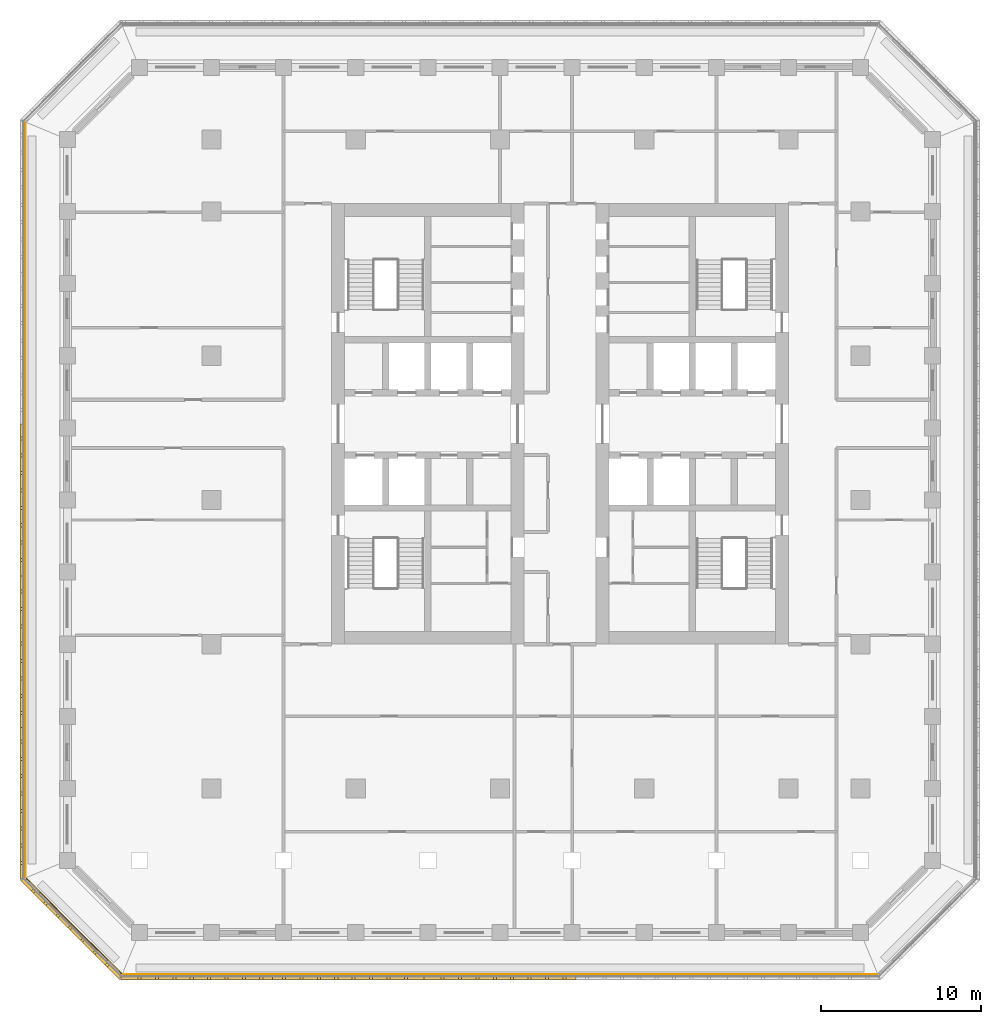
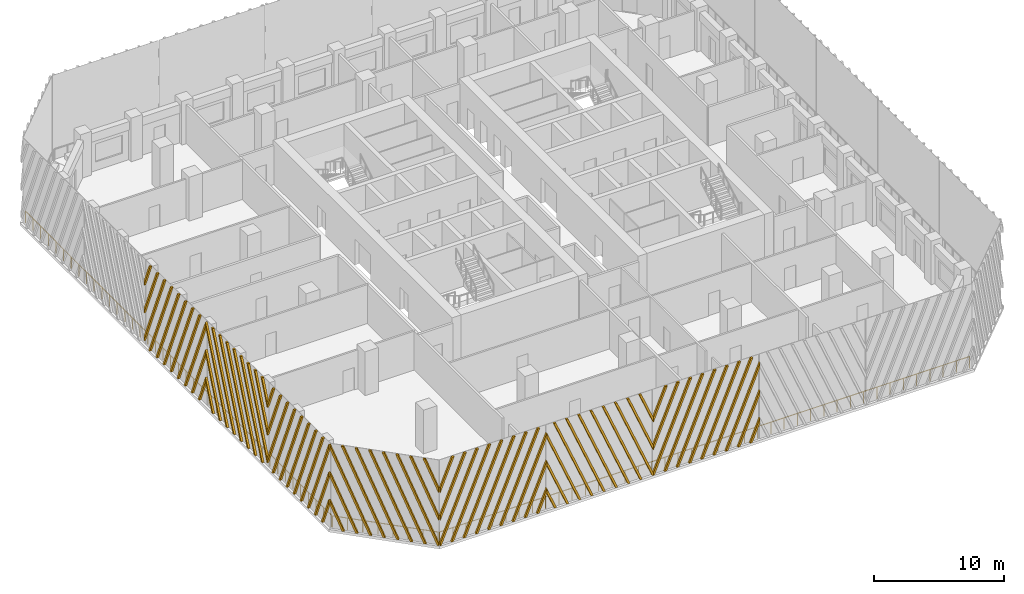
# One storey, part 10 of 17: 7 shading devices, 3 railings.
"""IFC4 building model written with IfcOpenShell, lengths in metres."""

import ifcopenshell
import ifcopenshell.guid

model = None  # the IFC model being written
_history = None  # IfcOwnerHistory: only IFC2X3 demands one
_inside = {}  # id of a spatial element -> (the spatial element, [elements in it])
_under = {}  # id of a project, library or spatial element -> (it, [spatial elements below it])
_declared = {}  # id of a project -> (the project, [libraries it declares])
_typed = {}  # id of a type object -> (the type object, [elements of that type])
_made_of = {}  # id of a material, layer set ... -> (it, [elements and type objects made of it])


def new_model(schema):
    """Start an empty IFC model of exactly this schema.

    Asked for "IFC4X3", IfcOpenShell would pick the latest addendum, in which some entities
    have other attributes; the version numbers below select the first issue.
    IFC2X3 requires an IfcOwnerHistory on every rooted entity: one is made here for all.
    """
    global model, _history
    if schema == "IFC4X3":
        model = ifcopenshell.file(schema_version=(4, 3, 0, 0))
    else:
        model = ifcopenshell.file(schema=schema)
    _inside.clear()
    _under.clear()
    _declared.clear()
    _typed.clear()
    _made_of.clear()
    _history = None
    if model.schema == "IFC2X3":
        org = make("IfcOrganization", Name="unknown")
        user = make(
            "IfcPersonAndOrganization",
            ThePerson=make("IfcPerson", FamilyName="unknown"),
            TheOrganization=org,
        )
        app = make(
            "IfcApplication",
            ApplicationDeveloper=org,
            Version="unknown",
            ApplicationFullName="unknown",
            ApplicationIdentifier="unknown",
        )
        _history = make(
            "IfcOwnerHistory",
            OwningUser=user,
            OwningApplication=app,
            ChangeAction="ADDED",
            CreationDate=0,
        )
    return model


def make(cls, **values):
    """One entity of the class cls with the attributes given. An attribute that is None is left unset."""
    return model.create_entity(
        cls, **{name: value for name, value in values.items() if value is not None}
    )


def rooted(cls, **values):
    """An entity with a GlobalId (a new one), such as an element, a storey or a relation."""
    return make(cls, GlobalId=ifcopenshell.guid.new(), OwnerHistory=_history, **values)


def si_unit(unit_type, name, prefix=None):
    """IfcSIUnit, for example si_unit("LENGTHUNIT", "METRE", prefix="MILLI")."""
    return make("IfcSIUnit", UnitType=unit_type, Prefix=prefix, Name=name)


def assignment(units):
    """IfcUnitAssignment: the units of a project."""
    return None if units is None else make("IfcUnitAssignment", Units=units)


def point(xyz):
    """IfcCartesianPoint."""
    return None if xyz is None else make("IfcCartesianPoint", Coordinates=xyz)


def direction(xyz):
    """IfcDirection."""
    return None if xyz is None else make("IfcDirection", DirectionRatios=xyz)


def frame(location, z_axis=None, x_axis=None):
    """IfcAxis2Placement3D, a coordinate frame: its origin and axes. An axis left out is left unset."""
    return make(
        "IfcAxis2Placement3D",
        Location=point(location),
        Axis=direction(z_axis),
        RefDirection=direction(x_axis),
    )


def frame_2d(location, x_axis=None):
    """IfcAxis2Placement2D, a coordinate frame in the plane: its origin and x axis."""
    return make(
        "IfcAxis2Placement2D", Location=point(location), RefDirection=direction(x_axis)
    )


def origin():
    """The frame at (0, 0, 0) with its axes left unset."""
    return frame((0.0, 0.0, 0.0))


def origin_2d():
    """The frame at (0, 0) in the plane with its x axis left unset."""
    return frame_2d((0.0, 0.0))


def place(relative_to, where):
    """IfcLocalPlacement: puts the frame where relative to a parent placement (None: the world)."""
    return make(
        "IfcLocalPlacement", PlacementRelTo=relative_to, RelativePlacement=where
    )


def context(
    kind, dimensions, precision=None, world=None, true_north=None, identifier=None
):
    """IfcGeometricRepresentationContext, for example the 3D "Model" context."""
    return make(
        "IfcGeometricRepresentationContext",
        ContextIdentifier=identifier,
        ContextType=kind,
        CoordinateSpaceDimension=dimensions,
        Precision=precision,
        WorldCoordinateSystem=world,
        TrueNorth=true_north,
    )


def subcontext(parent, identifier, kind, view, scale=None):
    """IfcGeometricRepresentationSubContext, for example "Body" below "Model"."""
    return make(
        "IfcGeometricRepresentationSubContext",
        ContextIdentifier=identifier,
        ContextType=kind,
        ParentContext=parent,
        TargetScale=scale,
        TargetView=view,
    )


def project(units=None, contexts=None):
    """IfcProject with its units and contexts."""
    return rooted(
        "IfcProject",
        Name="project",
        RepresentationContexts=contexts,
        UnitsInContext=assignment(units),
    )


def spatial(cls, under=None, at=None, **own):
    """A site, building, storey or space (cls), placed at a placement, below another one or the project."""
    s = rooted(cls, ObjectPlacement=at, **own)
    if under is not None:
        _under.setdefault(under.id(), (under, []))[1].append(s)
    return s


def polyline(points):
    """IfcPolyline through the points."""
    return make("IfcPolyline", Points=[point(p) for p in points])


def profile(cls, at=None, kind="AREA", **sizes):
    """A parametric profile (cls). Its sizes go by their IFC names, for example OverallWidth=200.0."""
    return make(cls, ProfileType=kind, Position=at, **sizes)


def circle(**sizes):
    """IfcCircleProfileDef."""
    return profile("IfcCircleProfileDef", **sizes)


def outline(outer, holes=None, kind="AREA"):
    """IfcArbitraryClosedProfileDef: a profile drawn as a closed curve; with holes, ...WithVoids."""
    if holes is None:
        return make("IfcArbitraryClosedProfileDef", ProfileType=kind, OuterCurve=outer)
    return make(
        "IfcArbitraryProfileDefWithVoids",
        ProfileType=kind,
        OuterCurve=outer,
        InnerCurves=holes,
    )


def extrude(swept, where, along, depth):
    """IfcExtrudedAreaSolid: the profile swept, set in the frame where, extruded along a direction by depth."""
    return make(
        "IfcExtrudedAreaSolid",
        SweptArea=swept,
        Position=where,
        ExtrudedDirection=direction(along),
        Depth=depth,
    )


def shape(context_of_items, identifier, shape_type, items):
    """IfcShapeRepresentation: the items that make up one representation, for example the "Body"."""
    return make(
        "IfcShapeRepresentation",
        ContextOfItems=context_of_items,
        RepresentationIdentifier=identifier,
        RepresentationType=shape_type,
        Items=items,
    )


def source(mapping_origin, context_of_items, identifier, shape_type, items):
    """IfcRepresentationMap: a shape defined once, which mapped items show again and again."""
    return make(
        "IfcRepresentationMap",
        MappingOrigin=mapping_origin,
        MappedRepresentation=shape(context_of_items, identifier, shape_type, items),
    )


def transform(
    local_origin,
    x_axis=None,
    y_axis=None,
    z_axis=None,
    scale=None,
    scale2=None,
    scale3=None,
    uniform=True,
):
    """IfcCartesianTransformationOperator3D, or its non-uniform kind. x_axis, y_axis, z_axis: its Axis1, 2, 3."""
    if uniform:
        return make(
            "IfcCartesianTransformationOperator3D",
            Axis1=direction(x_axis),
            Axis2=direction(y_axis),
            LocalOrigin=point(local_origin),
            Scale=scale,
            Axis3=direction(z_axis),
        )
    return make(
        "IfcCartesianTransformationOperator3DnonUniform",
        Axis1=direction(x_axis),
        Axis2=direction(y_axis),
        LocalOrigin=point(local_origin),
        Scale=scale,
        Axis3=direction(z_axis),
        Scale2=scale2,
        Scale3=scale3,
    )


def mapped(mapping_source, mapping_target):
    """IfcMappedItem: shows the shape of a source again, moved by a transform."""
    return make(
        "IfcMappedItem", MappingSource=mapping_source, MappingTarget=mapping_target
    )


def material(Name=None, Category=None):
    """IfcMaterial."""
    return make("IfcMaterial", Name=Name, Category=Category)


def made_of(thing, what):
    """Note that an element or type object is made of a material, layer set ...; save() writes the relation."""
    if what is not None:
        _made_of.setdefault(what.id(), (what, []))[1].append(thing)
    return thing


def type_object(cls, material=None, **own):
    """A type object (cls), such as IfcWallType, which elements share."""
    return made_of(rooted(cls, **own), material)


def element(
    cls,
    number,
    at=None,
    inside=None,
    cuts=None,
    type_object=None,
    material=None,
    context=None,
    identifier="Body",
    shape_type=None,
    held_by="IfcProductDefinitionShape",
    body=None,
    shapes=None,
    **own,
):
    """One element of the class cls, such as IfcWall. Its Tag is "e" and its number.

    at: its placement. inside: the storey or other place that contains it. cuts: it is an
    opening in that element (IfcRelVoidsElement). A single representation is given by context,
    identifier, shape_type and body (its items); several are given by shapes. held_by: the class
    of the entity that holds the representations. save() writes the other relations.
    """
    e = rooted(cls, Tag="e%d" % number, ObjectPlacement=at, **own)
    if body is not None:
        shapes = [shape(context, identifier, shape_type, body)]
    if shapes is not None:
        e.Representation = make(held_by, Representations=shapes)
    if inside is not None:
        _inside.setdefault(inside.id(), (inside, []))[1].append(e)
    if cuts is not None:
        rooted(
            "IfcRelVoidsElement", RelatingBuildingElement=cuts, RelatedOpeningElement=e
        )
    if type_object is not None:
        _typed.setdefault(type_object.id(), (type_object, []))[1].append(e)
    return made_of(e, material)


def aggregate(whole, parts):
    """IfcRelAggregates: a whole, such as a stair, and the parts it consists of."""
    return rooted("IfcRelAggregates", RelatingObject=whole, RelatedObjects=parts)


def save(model, path):
    """Write the relations noted so far, then the file.

    IfcRelAggregates (storeys below a building ...), IfcRelContainedInSpatialStructure (elements
    in a storey), IfcRelDefinesByType, IfcRelAssociatesMaterial and IfcRelDeclares: one each for
    every whole, place, type object, material and project.
    """
    for whole, parts in _under.values():
        aggregate(whole, parts)
    for where, things in _inside.values():
        rooted(
            "IfcRelContainedInSpatialStructure",
            RelatedElements=things,
            RelatingStructure=where,
        )
    for kind, things in _typed.values():
        rooted("IfcRelDefinesByType", RelatedObjects=things, RelatingType=kind)
    for what, things in _made_of.values():
        rooted("IfcRelAssociatesMaterial", RelatedObjects=things, RelatingMaterial=what)
    for by, libraries in _declared.values():
        rooted("IfcRelDeclares", RelatingContext=by, RelatedDefinitions=libraries)
    model.write(path)


model = new_model("IFC4")

# Units and contexts
model_context = context("Model", 3, precision=1e-05, world=origin(), true_north=direction((0.0, 1.0)))
body_context = subcontext(model_context, "Body", "Model", "MODEL_VIEW")
ifc_project = project(units=[si_unit("LENGTHUNIT", "METRE"), si_unit("AREAUNIT", "SQUARE_METRE"), si_unit("VOLUMEUNIT", "CUBIC_METRE"), si_unit("PLANEANGLEUNIT", "RADIAN"), si_unit("MASSUNIT", "GRAM", prefix="KILO")], contexts=[model_context])

# Site, building, storey
site_placement = place(None, origin())
site = spatial("IfcSite", under=ifc_project, at=site_placement, CompositionType="ELEMENT")
building_placement = place(site_placement, origin())
building = spatial("IfcBuilding", under=site, at=building_placement, Name="Corbel Stack Research Tower", CompositionType="ELEMENT")
storey_placement = place(building_placement, frame((0.0, 0.0, 156.800048828125)))
storey = spatial("IfcBuildingStorey", under=building, at=storey_placement, Name="L35", CompositionType="ELEMENT", Elevation=156.800048828125)

# Railings
ifc_material_1 = material(Name="Powder-coated steel guard", Category="steel")
railing_type = type_object("IfcRailingType", Name="Steel and glass guard 1100", PredefinedType="GUARDRAIL", material=ifc_material_1)
railing_1_placement = place(storey_placement, frame((-23.50537109375, -29.60009765625, 0.0)))
element("IfcRailing", 1, at=railing_1_placement, inside=storey, type_object=railing_type, Name="Loggia guard L35 S", PredefinedType="GUARDRAIL", context=body_context, shape_type="SweptSolid", body=[
    extrude(circle(Radius=0.02392578125, at=origin_2d()), frame((0.0, 0.0, 1.076171875), z_axis=(1.0, 0.0, 0.0), x_axis=(0.0, 1.0, 0.0)), (0.0, 0.0, 1.0), 47.0107421875),
    extrude(circle(Radius=0.02099609375, at=origin_2d()), origin(), (0.0, 0.0, 1.0), 1.052001953125),
    extrude(circle(Radius=0.02099609375, at=origin_2d()), frame((1.17529296875, 0.0, 0.0)), (0.0, 0.0, 1.0), 1.052001953125),
    extrude(circle(Radius=0.02099609375, at=origin_2d()), frame((2.3505859375, 0.0, 0.0)), (0.0, 0.0, 1.0), 1.052001953125),
    extrude(circle(Radius=0.02099609375, at=origin_2d()), frame((3.52587890625, 0.0, 0.0)), (0.0, 0.0, 1.0), 1.052001953125),
    extrude(circle(Radius=0.02099609375, at=origin_2d()), frame((4.701171875, 0.0, 0.0)), (0.0, 0.0, 1.0), 1.052001953125),
    extrude(circle(Radius=0.02099609375, at=origin_2d()), frame((5.87646484375, 0.0, 0.0)), (0.0, 0.0, 1.0), 1.052001953125),
    extrude(circle(Radius=0.02099609375, at=origin_2d()), frame((7.051513671875, 0.0, 0.0)), (0.0, 0.0, 1.0), 1.052001953125),
    extrude(circle(Radius=0.02099609375, at=origin_2d()), frame((8.226806640625, 0.0, 0.0)), (0.0, 0.0, 1.0), 1.052001953125),
    extrude(circle(Radius=0.02099609375, at=origin_2d()), frame((9.402099609375, 0.0, 0.0)), (0.0, 0.0, 1.0), 1.052001953125),
    extrude(circle(Radius=0.02099609375, at=origin_2d()), frame((10.577392578125, 0.0, 0.0)), (0.0, 0.0, 1.0), 1.052001953125),
    extrude(circle(Radius=0.02099609375, at=origin_2d()), frame((11.752685546875, 0.0, 0.0)), (0.0, 0.0, 1.0), 1.052001953125),
    extrude(circle(Radius=0.02099609375, at=origin_2d()), frame((12.927978515625, 0.0, 0.0)), (0.0, 0.0, 1.0), 1.052001953125),
    extrude(circle(Radius=0.02099609375, at=origin_2d()), frame((14.103271484375, 0.0, 0.0)), (0.0, 0.0, 1.0), 1.052001953125),
    extrude(circle(Radius=0.02099609375, at=origin_2d()), frame((15.278564453125, 0.0, 0.0)), (0.0, 0.0, 1.0), 1.052001953125),
    extrude(circle(Radius=0.02099609375, at=origin_2d()), frame((16.453857421875, 0.0, 0.0)), (0.0, 0.0, 1.0), 1.052001953125),
    extrude(circle(Radius=0.02099609375, at=origin_2d()), frame((17.62890625, 0.0, 0.0)), (0.0, 0.0, 1.0), 1.052001953125),
    extrude(circle(Radius=0.02099609375, at=origin_2d()), frame((18.80419921875, 0.0, 0.0)), (0.0, 0.0, 1.0), 1.052001953125),
    extrude(circle(Radius=0.02099609375, at=origin_2d()), frame((19.9794921875, 0.0, 0.0)), (0.0, 0.0, 1.0), 1.052001953125),
    extrude(circle(Radius=0.02099609375, at=origin_2d()), frame((21.15478515625, 0.0, 0.0)), (0.0, 0.0, 1.0), 1.052001953125),
    extrude(circle(Radius=0.02099609375, at=origin_2d()), frame((22.330078125, 0.0, 0.0)), (0.0, 0.0, 1.0), 1.052001953125),
    extrude(circle(Radius=0.02099609375, at=origin_2d()), frame((23.50537109375, 0.0, 0.0)), (0.0, 0.0, 1.0), 1.052001953125),
    extrude(circle(Radius=0.02099609375, at=origin_2d()), frame((24.6806640625, 0.0, 0.0)), (0.0, 0.0, 1.0), 1.052001953125),
    extrude(circle(Radius=0.02099609375, at=origin_2d()), frame((25.85595703125, 0.0, 0.0)), (0.0, 0.0, 1.0), 1.052001953125),
    extrude(circle(Radius=0.02099609375, at=origin_2d()), frame((27.03125, 0.0, 0.0)), (0.0, 0.0, 1.0), 1.052001953125),
    extrude(circle(Radius=0.02099609375, at=origin_2d()), frame((28.20654296875, 0.0, 0.0)), (0.0, 0.0, 1.0), 1.052001953125),
    extrude(circle(Radius=0.02099609375, at=origin_2d()), frame((29.3818359375, 0.0, 0.0)), (0.0, 0.0, 1.0), 1.052001953125),
    extrude(circle(Radius=0.02099609375, at=origin_2d()), frame((30.556884765625, 0.0, 0.0)), (0.0, 0.0, 1.0), 1.052001953125),
    extrude(circle(Radius=0.02099609375, at=origin_2d()), frame((31.732177734375, 0.0, 0.0)), (0.0, 0.0, 1.0), 1.052001953125),
    extrude(circle(Radius=0.02099609375, at=origin_2d()), frame((32.907470703125, 0.0, 0.0)), (0.0, 0.0, 1.0), 1.052001953125),
    extrude(circle(Radius=0.02099609375, at=origin_2d()), frame((34.082763671875, 0.0, 0.0)), (0.0, 0.0, 1.0), 1.052001953125),
    extrude(circle(Radius=0.02099609375, at=origin_2d()), frame((35.258056640625, 0.0, 0.0)), (0.0, 0.0, 1.0), 1.052001953125),
    extrude(circle(Radius=0.02099609375, at=origin_2d()), frame((36.433349609375, 0.0, 0.0)), (0.0, 0.0, 1.0), 1.052001953125),
    extrude(circle(Radius=0.02099609375, at=origin_2d()), frame((37.608642578125, 0.0, 0.0)), (0.0, 0.0, 1.0), 1.052001953125),
    extrude(circle(Radius=0.02099609375, at=origin_2d()), frame((38.783935546875, 0.0, 0.0)), (0.0, 0.0, 1.0), 1.052001953125),
    extrude(circle(Radius=0.02099609375, at=origin_2d()), frame((39.959228515625, 0.0, 0.0)), (0.0, 0.0, 1.0), 1.052001953125),
    extrude(circle(Radius=0.02099609375, at=origin_2d()), frame((41.13427734375, 0.0, 0.0)), (0.0, 0.0, 1.0), 1.052001953125),
    extrude(circle(Radius=0.02099609375, at=origin_2d()), frame((42.3095703125, 0.0, 0.0)), (0.0, 0.0, 1.0), 1.052001953125),
    extrude(circle(Radius=0.02099609375, at=origin_2d()), frame((43.48486328125, 0.0, 0.0)), (0.0, 0.0, 1.0), 1.052001953125),
    extrude(circle(Radius=0.02099609375, at=origin_2d()), frame((44.66015625, 0.0, 0.0)), (0.0, 0.0, 1.0), 1.052001953125),
    extrude(circle(Radius=0.02099609375, at=origin_2d()), frame((45.83544921875, 0.0, 0.0)), (0.0, 0.0, 1.0), 1.052001953125),
    extrude(circle(Radius=0.02099609375, at=origin_2d()), frame((47.0107421875, 0.0, 0.0)), (0.0, 0.0, 1.0), 1.052001953125),
])
railing_2_placement = place(storey_placement, frame((-29.60009765625, 23.50537109375, 0.0)))
element("IfcRailing", 2, at=railing_2_placement, inside=storey, type_object=railing_type, Name="Loggia guard L35 W", PredefinedType="GUARDRAIL", context=body_context, shape_type="SweptSolid", body=[
    extrude(circle(Radius=0.02392578125, at=origin_2d()), frame((0.0, 0.0, 1.076171875), z_axis=(0.0, -1.0, 0.0), x_axis=(1.0, 0.0, 0.0)), (0.0, 0.0, 1.0), 47.0107421875),
    extrude(circle(Radius=0.02099609375, at=origin_2d()), origin(), (0.0, 0.0, 1.0), 1.052001953125),
    extrude(circle(Radius=0.02099609375, at=origin_2d()), frame((0.0, -1.17529296875, 0.0)), (0.0, 0.0, 1.0), 1.052001953125),
    extrude(circle(Radius=0.02099609375, at=origin_2d()), frame((0.0, -2.3505859375, 0.0)), (0.0, 0.0, 1.0), 1.052001953125),
    extrude(circle(Radius=0.02099609375, at=origin_2d()), frame((0.0, -3.52587890625, 0.0)), (0.0, 0.0, 1.0), 1.052001953125),
    extrude(circle(Radius=0.02099609375, at=origin_2d()), frame((0.0, -4.701171875, 0.0)), (0.0, 0.0, 1.0), 1.052001953125),
    extrude(circle(Radius=0.02099609375, at=origin_2d()), frame((0.0, -5.87646484375, 0.0)), (0.0, 0.0, 1.0), 1.052001953125),
    extrude(circle(Radius=0.02099609375, at=origin_2d()), frame((0.0, -7.051513671875, 0.0)), (0.0, 0.0, 1.0), 1.052001953125),
    extrude(circle(Radius=0.02099609375, at=origin_2d()), frame((0.0, -8.226806640625, 0.0)), (0.0, 0.0, 1.0), 1.052001953125),
    extrude(circle(Radius=0.02099609375, at=origin_2d()), frame((0.0, -9.402099609375, 0.0)), (0.0, 0.0, 1.0), 1.052001953125),
    extrude(circle(Radius=0.02099609375, at=origin_2d()), frame((0.0, -10.577392578125, 0.0)), (0.0, 0.0, 1.0), 1.052001953125),
    extrude(circle(Radius=0.02099609375, at=origin_2d()), frame((0.0, -11.752685546875, 0.0)), (0.0, 0.0, 1.0), 1.052001953125),
    extrude(circle(Radius=0.02099609375, at=origin_2d()), frame((0.0, -12.927978515625, 0.0)), (0.0, 0.0, 1.0), 1.052001953125),
    extrude(circle(Radius=0.02099609375, at=origin_2d()), frame((0.0, -14.103271484375, 0.0)), (0.0, 0.0, 1.0), 1.052001953125),
    extrude(circle(Radius=0.02099609375, at=origin_2d()), frame((0.0, -15.278564453125, 0.0)), (0.0, 0.0, 1.0), 1.052001953125),
    extrude(circle(Radius=0.02099609375, at=origin_2d()), frame((0.0, -16.453857421875, 0.0)), (0.0, 0.0, 1.0), 1.052001953125),
    extrude(circle(Radius=0.02099609375, at=origin_2d()), frame((0.0, -17.62890625, 0.0)), (0.0, 0.0, 1.0), 1.052001953125),
    extrude(circle(Radius=0.02099609375, at=origin_2d()), frame((0.0, -18.80419921875, 0.0)), (0.0, 0.0, 1.0), 1.052001953125),
    extrude(circle(Radius=0.02099609375, at=origin_2d()), frame((0.0, -19.9794921875, 0.0)), (0.0, 0.0, 1.0), 1.052001953125),
    extrude(circle(Radius=0.02099609375, at=origin_2d()), frame((0.0, -21.15478515625, 0.0)), (0.0, 0.0, 1.0), 1.052001953125),
    extrude(circle(Radius=0.02099609375, at=origin_2d()), frame((0.0, -22.330078125, 0.0)), (0.0, 0.0, 1.0), 1.052001953125),
    extrude(circle(Radius=0.02099609375, at=origin_2d()), frame((0.0, -23.50537109375, 0.0)), (0.0, 0.0, 1.0), 1.052001953125),
    extrude(circle(Radius=0.02099609375, at=origin_2d()), frame((0.0, -24.6806640625, 0.0)), (0.0, 0.0, 1.0), 1.052001953125),
    extrude(circle(Radius=0.02099609375, at=origin_2d()), frame((0.0, -25.85595703125, 0.0)), (0.0, 0.0, 1.0), 1.052001953125),
    extrude(circle(Radius=0.02099609375, at=origin_2d()), frame((0.0, -27.03125, 0.0)), (0.0, 0.0, 1.0), 1.052001953125),
    extrude(circle(Radius=0.02099609375, at=origin_2d()), frame((0.0, -28.20654296875, 0.0)), (0.0, 0.0, 1.0), 1.052001953125),
    extrude(circle(Radius=0.02099609375, at=origin_2d()), frame((0.0, -29.3818359375, 0.0)), (0.0, 0.0, 1.0), 1.052001953125),
    extrude(circle(Radius=0.02099609375, at=origin_2d()), frame((0.0, -30.556884765625, 0.0)), (0.0, 0.0, 1.0), 1.052001953125),
    extrude(circle(Radius=0.02099609375, at=origin_2d()), frame((0.0, -31.732177734375, 0.0)), (0.0, 0.0, 1.0), 1.052001953125),
    extrude(circle(Radius=0.02099609375, at=origin_2d()), frame((0.0, -32.907470703125, 0.0)), (0.0, 0.0, 1.0), 1.052001953125),
    extrude(circle(Radius=0.02099609375, at=origin_2d()), frame((0.0, -34.082763671875, 0.0)), (0.0, 0.0, 1.0), 1.052001953125),
    extrude(circle(Radius=0.02099609375, at=origin_2d()), frame((0.0, -35.258056640625, 0.0)), (0.0, 0.0, 1.0), 1.052001953125),
    extrude(circle(Radius=0.02099609375, at=origin_2d()), frame((0.0, -36.433349609375, 0.0)), (0.0, 0.0, 1.0), 1.052001953125),
    extrude(circle(Radius=0.02099609375, at=origin_2d()), frame((0.0, -37.608642578125, 0.0)), (0.0, 0.0, 1.0), 1.052001953125),
    extrude(circle(Radius=0.02099609375, at=origin_2d()), frame((0.0, -38.783935546875, 0.0)), (0.0, 0.0, 1.0), 1.052001953125),
    extrude(circle(Radius=0.02099609375, at=origin_2d()), frame((0.0, -39.959228515625, 0.0)), (0.0, 0.0, 1.0), 1.052001953125),
    extrude(circle(Radius=0.02099609375, at=origin_2d()), frame((0.0, -41.13427734375, 0.0)), (0.0, 0.0, 1.0), 1.052001953125),
    extrude(circle(Radius=0.02099609375, at=origin_2d()), frame((0.0, -42.3095703125, 0.0)), (0.0, 0.0, 1.0), 1.052001953125),
    extrude(circle(Radius=0.02099609375, at=origin_2d()), frame((0.0, -43.48486328125, 0.0)), (0.0, 0.0, 1.0), 1.052001953125),
    extrude(circle(Radius=0.02099609375, at=origin_2d()), frame((0.0, -44.66015625, 0.0)), (0.0, 0.0, 1.0), 1.052001953125),
    extrude(circle(Radius=0.02099609375, at=origin_2d()), frame((0.0, -45.83544921875, 0.0)), (0.0, 0.0, 1.0), 1.052001953125),
    extrude(circle(Radius=0.02099609375, at=origin_2d()), frame((0.0, -47.0107421875, 0.0)), (0.0, 0.0, 1.0), 1.052001953125),
])
railing_3_placement = place(storey_placement, frame((-29.54931640625, -23.627685546875, 0.0)))
element("IfcRailing", 3, at=railing_3_placement, inside=storey, type_object=railing_type, Name="Loggia guard L35 SW", PredefinedType="GUARDRAIL", context=body_context, shape_type="SweptSolid", body=[
    extrude(circle(Radius=0.02392578125, at=origin_2d()), frame((0.0, 0.0, 1.076171875), z_axis=(0.707106781187, -0.707106781187, 0.0), x_axis=(0.707106781187, 0.707106781187, 0.0)), (0.0, 0.0, 1.0), 8.37451171875),
    extrude(circle(Radius=0.02099609375, at=origin_2d()), origin(), (0.0, 0.0, 1.0), 1.052001953125),
    extrude(circle(Radius=0.02099609375, at=origin_2d()), frame((0.845947265625, -0.845947265625, 0.0)), (0.0, 0.0, 1.0), 1.052001953125),
    extrude(circle(Radius=0.02099609375, at=origin_2d()), frame((1.69189453125, -1.69189453125, 0.0)), (0.0, 0.0, 1.0), 1.052001953125),
    extrude(circle(Radius=0.02099609375, at=origin_2d()), frame((2.537841796875, -2.537841796875, 0.0)), (0.0, 0.0, 1.0), 1.052001953125),
    extrude(circle(Radius=0.02099609375, at=origin_2d()), frame((3.3837890625, -3.3837890625, 0.0)), (0.0, 0.0, 1.0), 1.052001953125),
    extrude(circle(Radius=0.02099609375, at=origin_2d()), frame((4.229736328125, -4.229736328125, 0.0)), (0.0, 0.0, 1.0), 1.052001953125),
    extrude(circle(Radius=0.02099609375, at=origin_2d()), frame((5.07568359375, -5.07568359375, 0.0)), (0.0, 0.0, 1.0), 1.052001953125),
    extrude(circle(Radius=0.02099609375, at=origin_2d()), frame((5.921630859375, -5.921630859375, 0.0)), (0.0, 0.0, 1.0), 1.052001953125),
])

# Shading devices
ifc_material_2 = material(Name="Precast terracotta", Category="masonry")
shading_device_type = type_object("IfcShadingDeviceType", Name="Terracotta screen panel", PredefinedType="USERDEFINED", material=ifc_material_2)
shared_shape_1 = source(origin(), body_context, "Body", "SweptSolid", [
    extrude(outline(polyline([(1.245849609375, 7.949951171875), (1.055908203125, 7.949951171875), (0.0, 5.421875), (0.0, 4.966796875), (1.245849609375, 7.949951171875)])), frame((0.0, 0.0, 0.0), z_axis=(0.0, -1.0, 0.0), x_axis=(1.0, 0.0, 0.0)), (0.0, 0.0, 1.0), 0.179931640625),
    extrude(outline(polyline([(2.33056640625, 7.949951171875), (2.140380859375, 7.949951171875), (0.0, 2.82470703125), (0.0, 2.36962890625), (2.33056640625, 7.949951171875)])), frame((0.0, 0.0, 0.0), z_axis=(0.0, -1.0, 0.0), x_axis=(1.0, 0.0, 0.0)), (0.0, 0.0, 1.0), 0.179931640625),
    extrude(outline(polyline([(0.094970703125, 0.0), (3.415283203125, 7.949951171875), (3.22509765625, 7.949951171875), (0.0, 0.2275390625), (0.0, 0.0), (0.094970703125, 0.0)])), frame((0.0, 0.0, 0.0), z_axis=(0.0, -1.0, 0.0), x_axis=(1.0, 0.0, 0.0)), (0.0, 0.0, 1.0), 0.179931640625),
    extrude(outline(polyline([(1.1796875, 0.0), (4.499755859375, 7.949951171875), (4.309814453125, 7.949951171875), (0.98974609375, 0.0), (1.1796875, 0.0)])), frame((0.0, 0.0, 0.0), z_axis=(0.0, -1.0, 0.0), x_axis=(1.0, 0.0, 0.0)), (0.0, 0.0, 1.0), 0.179931640625),
    extrude(outline(polyline([(2.264404296875, 0.0), (5.58447265625, 7.949951171875), (5.39453125, 7.949951171875), (2.07421875, 0.0), (2.264404296875, 0.0)])), frame((0.0, 0.0, 0.0), z_axis=(0.0, -1.0, 0.0), x_axis=(1.0, 0.0, 0.0)), (0.0, 0.0, 1.0), 0.179931640625),
    extrude(outline(polyline([(3.34912109375, 0.0), (6.669189453125, 7.949951171875), (6.479248046875, 7.949951171875), (3.158935546875, 0.0), (3.34912109375, 0.0)])), frame((0.0, 0.0, 0.0), z_axis=(0.0, -1.0, 0.0), x_axis=(1.0, 0.0, 0.0)), (0.0, 0.0, 1.0), 0.179931640625),
    extrude(outline(polyline([(4.43359375, 0.0), (7.75390625, 7.949951171875), (7.563720703125, 7.949951171875), (4.24365234375, 0.0), (4.43359375, 0.0)])), frame((0.0, 0.0, 0.0), z_axis=(0.0, -1.0, 0.0), x_axis=(1.0, 0.0, 0.0)), (0.0, 0.0, 1.0), 0.179931640625),
    extrude(outline(polyline([(5.518310546875, 0.0), (8.83837890625, 7.949951171875), (8.6484375, 7.949951171875), (5.328369140625, 0.0), (5.518310546875, 0.0)])), frame((0.0, 0.0, 0.0), z_axis=(0.0, -1.0, 0.0), x_axis=(1.0, 0.0, 0.0)), (0.0, 0.0, 1.0), 0.179931640625),
    extrude(outline(polyline([(6.60302734375, 0.0), (9.45556640625, 6.83056640625), (9.45556640625, 7.285400390625), (6.4130859375, 0.0), (6.60302734375, 0.0)])), frame((0.0, 0.0, 0.0), z_axis=(0.0, -1.0, 0.0), x_axis=(1.0, 0.0, 0.0)), (0.0, 0.0, 1.0), 0.179931640625),
    extrude(outline(polyline([(7.687744140625, 0.0), (9.45556640625, 4.2333984375), (9.45556640625, 4.688232421875), (7.497802734375, 0.0), (7.687744140625, 0.0)])), frame((0.0, 0.0, 0.0), z_axis=(0.0, -1.0, 0.0), x_axis=(1.0, 0.0, 0.0)), (0.0, 0.0, 1.0), 0.179931640625),
    extrude(outline(polyline([(8.772216796875, 0.0), (9.45556640625, 1.635986328125), (9.45556640625, 2.091064453125), (8.582275390625, 0.0), (8.772216796875, 0.0)])), frame((0.0, 0.0, 0.0), z_axis=(0.0, -1.0, 0.0), x_axis=(1.0, 0.0, 0.0)), (0.0, 0.0, 1.0), 0.179931640625),
])
for number, where, z_axis, x_axis, name in (
    (4, (-23.63916015625, -29.75, 0.0), (0.0, 0.0, 1.0), (1.0, 0.0, 0.0), "Terracotta screen L35 S1"),
    (5, (-4.727783203125, -29.75, 0.0), (0.0, 0.0, 1.0), (1.0, 0.0, 0.0), "Terracotta screen L35 S3"),
):
    element("IfcShadingDevice", number, at=place(storey_placement, frame(where, z_axis=z_axis, x_axis=x_axis)), inside=storey, type_object=shading_device_type, Name=name, ObjectType="SCREEN", PredefinedType="USERDEFINED", context=body_context, shape_type="MappedRepresentation", body=[
        mapped(shared_shape_1, transform((0.0, 0.0, 0.0))),
    ])
shared_shape_2 = source(origin(), body_context, "Body", "SweptSolid", [
    extrude(outline(polyline([(0.873291015625, 0.0), (0.0, 2.091064453125), (0.0, 1.635986328125), (0.683349609375, 0.0), (0.873291015625, 0.0)])), frame((0.0, 0.0, 0.0), z_axis=(0.0, -1.0, 0.0), x_axis=(1.0, 0.0, 0.0)), (0.0, 0.0, 1.0), 0.179931640625),
    extrude(outline(polyline([(1.9580078125, 0.0), (0.0, 4.688232421875), (0.0, 4.2333984375), (1.76806640625, 0.0), (1.9580078125, 0.0)])), frame((0.0, 0.0, 0.0), z_axis=(0.0, -1.0, 0.0), x_axis=(1.0, 0.0, 0.0)), (0.0, 0.0, 1.0), 0.179931640625),
    extrude(outline(polyline([(3.04248046875, 0.0), (0.0, 7.285400390625), (0.0, 6.83056640625), (2.8525390625, 0.0), (3.04248046875, 0.0)])), frame((0.0, 0.0, 0.0), z_axis=(0.0, -1.0, 0.0), x_axis=(1.0, 0.0, 0.0)), (0.0, 0.0, 1.0), 0.179931640625),
    extrude(outline(polyline([(4.127197265625, 0.0), (0.80712890625, 7.949951171875), (0.6171875, 7.949951171875), (3.937255859375, 0.0), (4.127197265625, 0.0)])), frame((0.0, 0.0, 0.0), z_axis=(0.0, -1.0, 0.0), x_axis=(1.0, 0.0, 0.0)), (0.0, 0.0, 1.0), 0.179931640625),
    extrude(outline(polyline([(5.2119140625, 0.0), (1.891845703125, 7.949951171875), (1.701904296875, 7.949951171875), (5.02197265625, 0.0), (5.2119140625, 0.0)])), frame((0.0, 0.0, 0.0), z_axis=(0.0, -1.0, 0.0), x_axis=(1.0, 0.0, 0.0)), (0.0, 0.0, 1.0), 0.179931640625),
    extrude(outline(polyline([(6.296630859375, 0.0), (2.9765625, 7.949951171875), (2.78662109375, 7.949951171875), (6.106689453125, 0.0), (6.296630859375, 0.0)])), frame((0.0, 0.0, 0.0), z_axis=(0.0, -1.0, 0.0), x_axis=(1.0, 0.0, 0.0)), (0.0, 0.0, 1.0), 0.179931640625),
    extrude(outline(polyline([(7.38134765625, 0.0), (4.06103515625, 7.949951171875), (3.87109375, 7.949951171875), (7.19140625, 0.0), (7.38134765625, 0.0)])), frame((0.0, 0.0, 0.0), z_axis=(0.0, -1.0, 0.0), x_axis=(1.0, 0.0, 0.0)), (0.0, 0.0, 1.0), 0.179931640625),
    extrude(outline(polyline([(8.466064453125, 0.0), (5.145751953125, 7.949951171875), (4.955810546875, 7.949951171875), (8.27587890625, 0.0), (8.466064453125, 0.0)])), frame((0.0, 0.0, 0.0), z_axis=(0.0, -1.0, 0.0), x_axis=(1.0, 0.0, 0.0)), (0.0, 0.0, 1.0), 0.179931640625),
    extrude(outline(polyline([(9.45556640625, 0.0), (9.45556640625, 0.2275390625), (6.23046875, 7.949951171875), (6.04052734375, 7.949951171875), (9.360595703125, 0.0), (9.45556640625, 0.0)])), frame((0.0, 0.0, 0.0), z_axis=(0.0, -1.0, 0.0), x_axis=(1.0, 0.0, 0.0)), (0.0, 0.0, 1.0), 0.179931640625),
    extrude(outline(polyline([(7.315185546875, 7.949951171875), (7.125, 7.949951171875), (9.45556640625, 2.36962890625), (9.45556640625, 2.82470703125), (7.315185546875, 7.949951171875)])), frame((0.0, 0.0, 0.0), z_axis=(0.0, -1.0, 0.0), x_axis=(1.0, 0.0, 0.0)), (0.0, 0.0, 1.0), 0.179931640625),
    extrude(outline(polyline([(8.39990234375, 7.949951171875), (8.209716796875, 7.949951171875), (9.45556640625, 4.966796875), (9.45556640625, 5.421875), (8.39990234375, 7.949951171875)])), frame((0.0, 0.0, 0.0), z_axis=(0.0, -1.0, 0.0), x_axis=(1.0, 0.0, 0.0)), (0.0, 0.0, 1.0), 0.179931640625),
])
shading_device_1_placement = place(storey_placement, frame((-14.18359375, -29.75, 0.0), z_axis=(0.0, 0.0, 1.0), x_axis=(1.0, 0.0, 0.0)))
element("IfcShadingDevice", 6, at=shading_device_1_placement, inside=storey, type_object=shading_device_type, Name="Terracotta screen L35 S2", ObjectType="SCREEN", PredefinedType="USERDEFINED", context=body_context, shape_type="MappedRepresentation", body=[
    mapped(shared_shape_2, transform((0.0, 0.0, 0.0))),
])
shared_shape_3 = source(origin(), body_context, "Body", "SweptSolid", [
    extrude(outline(polyline([(0.974609375, 7.949951171875), (0.78466796875, 7.949951171875), (0.0, 6.071044921875), (0.0, 5.6162109375), (0.974609375, 7.949951171875)])), frame((0.0, 0.0, 0.0), z_axis=(0.0, -1.0, 0.0), x_axis=(1.0, 0.0, 0.0)), (0.0, 0.0, 1.0), 0.179931640625),
    extrude(outline(polyline([(2.059326171875, 7.949951171875), (1.869384765625, 7.949951171875), (0.0, 3.473876953125), (0.0, 3.01904296875), (2.059326171875, 7.949951171875)])), frame((0.0, 0.0, 0.0), z_axis=(0.0, -1.0, 0.0), x_axis=(1.0, 0.0, 0.0)), (0.0, 0.0, 1.0), 0.179931640625),
    extrude(outline(polyline([(3.14404296875, 7.949951171875), (2.9541015625, 7.949951171875), (0.0, 0.876708984375), (0.0, 0.421875), (3.14404296875, 7.949951171875)])), frame((0.0, 0.0, 0.0), z_axis=(0.0, -1.0, 0.0), x_axis=(1.0, 0.0, 0.0)), (0.0, 0.0, 1.0), 0.179931640625),
    extrude(outline(polyline([(0.908447265625, 0.0), (4.228759765625, 7.949951171875), (4.038818359375, 7.949951171875), (0.718505859375, 0.0), (0.908447265625, 0.0)])), frame((0.0, 0.0, 0.0), z_axis=(0.0, -1.0, 0.0), x_axis=(1.0, 0.0, 0.0)), (0.0, 0.0, 1.0), 0.179931640625),
    extrude(outline(polyline([(1.9931640625, 0.0), (5.313232421875, 7.949951171875), (5.123291015625, 7.949951171875), (1.80322265625, 0.0), (1.9931640625, 0.0)])), frame((0.0, 0.0, 0.0), z_axis=(0.0, -1.0, 0.0), x_axis=(1.0, 0.0, 0.0)), (0.0, 0.0, 1.0), 0.179931640625),
    extrude(outline(polyline([(3.077880859375, 0.0), (6.39794921875, 7.949951171875), (6.2080078125, 7.949951171875), (2.8876953125, 0.0), (3.077880859375, 0.0)])), frame((0.0, 0.0, 0.0), z_axis=(0.0, -1.0, 0.0), x_axis=(1.0, 0.0, 0.0)), (0.0, 0.0, 1.0), 0.179931640625),
    extrude(outline(polyline([(4.16259765625, 0.0), (7.482666015625, 7.949951171875), (7.292724609375, 7.949951171875), (3.972412109375, 0.0), (4.16259765625, 0.0)])), frame((0.0, 0.0, 0.0), z_axis=(0.0, -1.0, 0.0), x_axis=(1.0, 0.0, 0.0)), (0.0, 0.0, 1.0), 0.179931640625),
    extrude(outline(polyline([(5.247314453125, 0.0), (8.5673828125, 7.949951171875), (8.377197265625, 7.949951171875), (5.05712890625, 0.0), (5.247314453125, 0.0)])), frame((0.0, 0.0, 0.0), z_axis=(0.0, -1.0, 0.0), x_axis=(1.0, 0.0, 0.0)), (0.0, 0.0, 1.0), 0.179931640625),
    extrude(outline(polyline([(6.331787109375, 0.0), (9.45556640625, 7.479736328125), (9.45556640625, 7.934814453125), (6.141845703125, 0.0), (6.331787109375, 0.0)])), frame((0.0, 0.0, 0.0), z_axis=(0.0, -1.0, 0.0), x_axis=(1.0, 0.0, 0.0)), (0.0, 0.0, 1.0), 0.179931640625),
    extrude(outline(polyline([(7.41650390625, 0.0), (9.45556640625, 4.882568359375), (9.45556640625, 5.337646484375), (7.2265625, 0.0), (7.41650390625, 0.0)])), frame((0.0, 0.0, 0.0), z_axis=(0.0, -1.0, 0.0), x_axis=(1.0, 0.0, 0.0)), (0.0, 0.0, 1.0), 0.179931640625),
    extrude(outline(polyline([(8.501220703125, 0.0), (9.45556640625, 2.285400390625), (9.45556640625, 2.740478515625), (8.311279296875, 0.0), (8.501220703125, 0.0)])), frame((0.0, 0.0, 0.0), z_axis=(0.0, -1.0, 0.0), x_axis=(1.0, 0.0, 0.0)), (0.0, 0.0, 1.0), 0.179931640625),
])
for number, where, z_axis, x_axis, name in (
    (7, (-29.75, 4.727783203125, 0.0), (0.0, 0.0, 1.0), (0.0, -1.0, 0.0), "Terracotta screen L35 W3"),
    (8, (-29.75, -14.18359375, 0.0), (0.0, 0.0, 1.0), (0.0, -1.0, 0.0), "Terracotta screen L35 W5"),
):
    element("IfcShadingDevice", number, at=place(storey_placement, frame(where, z_axis=z_axis, x_axis=x_axis)), inside=storey, type_object=shading_device_type, Name=name, ObjectType="SCREEN", PredefinedType="USERDEFINED", context=body_context, shape_type="MappedRepresentation", body=[
        mapped(shared_shape_3, transform((0.0, 0.0, 0.0))),
    ])
shared_shape_4 = source(origin(), body_context, "Body", "SweptSolid", [
    extrude(outline(polyline([(1.14453125, 0.0), (0.0, 2.740478515625), (0.0, 2.285400390625), (0.95458984375, 0.0), (1.14453125, 0.0)])), frame((0.0, 0.0, 0.0), z_axis=(0.0, -1.0, 0.0), x_axis=(1.0, 0.0, 0.0)), (0.0, 0.0, 1.0), 0.179931640625),
    extrude(outline(polyline([(2.22900390625, 0.0), (0.0, 5.337646484375), (0.0, 4.882568359375), (2.0390625, 0.0), (2.22900390625, 0.0)])), frame((0.0, 0.0, 0.0), z_axis=(0.0, -1.0, 0.0), x_axis=(1.0, 0.0, 0.0)), (0.0, 0.0, 1.0), 0.179931640625),
    extrude(outline(polyline([(3.313720703125, 0.0), (0.0, 7.934814453125), (0.0, 7.479736328125), (3.123779296875, 0.0), (3.313720703125, 0.0)])), frame((0.0, 0.0, 0.0), z_axis=(0.0, -1.0, 0.0), x_axis=(1.0, 0.0, 0.0)), (0.0, 0.0, 1.0), 0.179931640625),
    extrude(outline(polyline([(4.3984375, 0.0), (1.078369140625, 7.949951171875), (0.88818359375, 7.949951171875), (4.20849609375, 0.0), (4.3984375, 0.0)])), frame((0.0, 0.0, 0.0), z_axis=(0.0, -1.0, 0.0), x_axis=(1.0, 0.0, 0.0)), (0.0, 0.0, 1.0), 0.179931640625),
    extrude(outline(polyline([(5.483154296875, 0.0), (2.1630859375, 7.949951171875), (1.972900390625, 7.949951171875), (5.293212890625, 0.0), (5.483154296875, 0.0)])), frame((0.0, 0.0, 0.0), z_axis=(0.0, -1.0, 0.0), x_axis=(1.0, 0.0, 0.0)), (0.0, 0.0, 1.0), 0.179931640625),
    extrude(outline(polyline([(6.56787109375, 0.0), (3.24755859375, 7.949951171875), (3.0576171875, 7.949951171875), (6.377685546875, 0.0), (6.56787109375, 0.0)])), frame((0.0, 0.0, 0.0), z_axis=(0.0, -1.0, 0.0), x_axis=(1.0, 0.0, 0.0)), (0.0, 0.0, 1.0), 0.179931640625),
    extrude(outline(polyline([(7.652587890625, 0.0), (4.332275390625, 7.949951171875), (4.142333984375, 7.949951171875), (7.46240234375, 0.0), (7.652587890625, 0.0)])), frame((0.0, 0.0, 0.0), z_axis=(0.0, -1.0, 0.0), x_axis=(1.0, 0.0, 0.0)), (0.0, 0.0, 1.0), 0.179931640625),
    extrude(outline(polyline([(8.737060546875, 0.0), (5.4169921875, 7.949951171875), (5.22705078125, 7.949951171875), (8.547119140625, 0.0), (8.737060546875, 0.0)])), frame((0.0, 0.0, 0.0), z_axis=(0.0, -1.0, 0.0), x_axis=(1.0, 0.0, 0.0)), (0.0, 0.0, 1.0), 0.179931640625),
    extrude(outline(polyline([(6.501708984375, 7.949951171875), (6.3115234375, 7.949951171875), (9.45556640625, 0.421875), (9.45556640625, 0.876708984375), (6.501708984375, 7.949951171875)])), frame((0.0, 0.0, 0.0), z_axis=(0.0, -1.0, 0.0), x_axis=(1.0, 0.0, 0.0)), (0.0, 0.0, 1.0), 0.179931640625),
    extrude(outline(polyline([(7.586181640625, 7.949951171875), (7.396240234375, 7.949951171875), (9.45556640625, 3.01904296875), (9.45556640625, 3.473876953125), (7.586181640625, 7.949951171875)])), frame((0.0, 0.0, 0.0), z_axis=(0.0, -1.0, 0.0), x_axis=(1.0, 0.0, 0.0)), (0.0, 0.0, 1.0), 0.179931640625),
    extrude(outline(polyline([(8.6708984375, 7.949951171875), (8.48095703125, 7.949951171875), (9.45556640625, 5.6162109375), (9.45556640625, 6.071044921875), (8.6708984375, 7.949951171875)])), frame((0.0, 0.0, 0.0), z_axis=(0.0, -1.0, 0.0), x_axis=(1.0, 0.0, 0.0)), (0.0, 0.0, 1.0), 0.179931640625),
])
shading_device_2_placement = place(storey_placement, frame((-29.75, -4.727783203125, 0.0), z_axis=(0.0, 0.0, 1.0), x_axis=(0.0, -1.0, 0.0)))
element("IfcShadingDevice", 9, at=shading_device_2_placement, inside=storey, type_object=shading_device_type, Name="Terracotta screen L35 W4", ObjectType="SCREEN", PredefinedType="USERDEFINED", context=body_context, shape_type="MappedRepresentation", body=[
    mapped(shared_shape_4, transform((0.0, 0.0, 0.0))),
])
shared_shape_5 = source(origin(), body_context, "Body", "SweptSolid", [
    extrude(outline(polyline([(1.14453125, 0.0), (0.0, 2.740478515625), (0.0, 2.285400390625), (0.95458984375, 0.0), (1.14453125, 0.0)])), frame((0.0, 0.0, 0.0), z_axis=(0.0, -1.0, 0.0), x_axis=(1.0, 0.0, 0.0)), (0.0, 0.0, 1.0), 0.179931640625),
    extrude(outline(polyline([(2.22900390625, 0.0), (0.0, 5.337646484375), (0.0, 4.882568359375), (2.0390625, 0.0), (2.22900390625, 0.0)])), frame((0.0, 0.0, 0.0), z_axis=(0.0, -1.0, 0.0), x_axis=(1.0, 0.0, 0.0)), (0.0, 0.0, 1.0), 0.179931640625),
    extrude(outline(polyline([(3.313720703125, 0.0), (0.0, 7.934814453125), (0.0, 7.479736328125), (3.123779296875, 0.0), (3.313720703125, 0.0)])), frame((0.0, 0.0, 0.0), z_axis=(0.0, -1.0, 0.0), x_axis=(1.0, 0.0, 0.0)), (0.0, 0.0, 1.0), 0.179931640625),
    extrude(outline(polyline([(4.3984375, 0.0), (1.078369140625, 7.949951171875), (0.88818359375, 7.949951171875), (4.20849609375, 0.0), (4.3984375, 0.0)])), frame((0.0, 0.0, 0.0), z_axis=(0.0, -1.0, 0.0), x_axis=(1.0, 0.0, 0.0)), (0.0, 0.0, 1.0), 0.179931640625),
    extrude(outline(polyline([(5.483154296875, 0.0), (2.1630859375, 7.949951171875), (1.972900390625, 7.949951171875), (5.293212890625, 0.0), (5.483154296875, 0.0)])), frame((0.0, 0.0, 0.0), z_axis=(0.0, -1.0, 0.0), x_axis=(1.0, 0.0, 0.0)), (0.0, 0.0, 1.0), 0.179931640625),
    extrude(outline(polyline([(6.56787109375, 0.0), (3.24755859375, 7.949951171875), (3.0576171875, 7.949951171875), (6.377685546875, 0.0), (6.56787109375, 0.0)])), frame((0.0, 0.0, 0.0), z_axis=(0.0, -1.0, 0.0), x_axis=(1.0, 0.0, 0.0)), (0.0, 0.0, 1.0), 0.179931640625),
    extrude(outline(polyline([(7.652587890625, 0.0), (4.332275390625, 7.949951171875), (4.142333984375, 7.949951171875), (7.46240234375, 0.0), (7.652587890625, 0.0)])), frame((0.0, 0.0, 0.0), z_axis=(0.0, -1.0, 0.0), x_axis=(1.0, 0.0, 0.0)), (0.0, 0.0, 1.0), 0.179931640625),
    extrude(outline(polyline([(8.64208984375, 0.0), (8.64208984375, 0.2275390625), (5.4169921875, 7.949951171875), (5.22705078125, 7.949951171875), (8.547119140625, 0.0), (8.64208984375, 0.0)])), frame((0.0, 0.0, 0.0), z_axis=(0.0, -1.0, 0.0), x_axis=(1.0, 0.0, 0.0)), (0.0, 0.0, 1.0), 0.179931640625),
    extrude(outline(polyline([(6.501708984375, 7.949951171875), (6.3115234375, 7.949951171875), (8.64208984375, 2.36962890625), (8.64208984375, 2.82470703125), (6.501708984375, 7.949951171875)])), frame((0.0, 0.0, 0.0), z_axis=(0.0, -1.0, 0.0), x_axis=(1.0, 0.0, 0.0)), (0.0, 0.0, 1.0), 0.179931640625),
    extrude(outline(polyline([(7.586181640625, 7.949951171875), (7.396240234375, 7.949951171875), (8.64208984375, 4.966796875), (8.64208984375, 5.421875), (7.586181640625, 7.949951171875)])), frame((0.0, 0.0, 0.0), z_axis=(0.0, -1.0, 0.0), x_axis=(1.0, 0.0, 0.0)), (0.0, 0.0, 1.0), 0.179931640625),
])
shading_device_3_placement = place(storey_placement, frame((-29.75, -23.63916015625, 0.0), z_axis=(0.0, 0.0, 1.0), x_axis=(0.707106781187, -0.707106781187, 0.0)))
element("IfcShadingDevice", 10, at=shading_device_3_placement, inside=storey, type_object=shading_device_type, Name="Terracotta screen L35 SW1", ObjectType="SCREEN", PredefinedType="USERDEFINED", context=body_context, shape_type="MappedRepresentation", body=[
    mapped(shared_shape_5, transform((0.0, 0.0, 0.0))),
])

save(model, "model.ifc")
